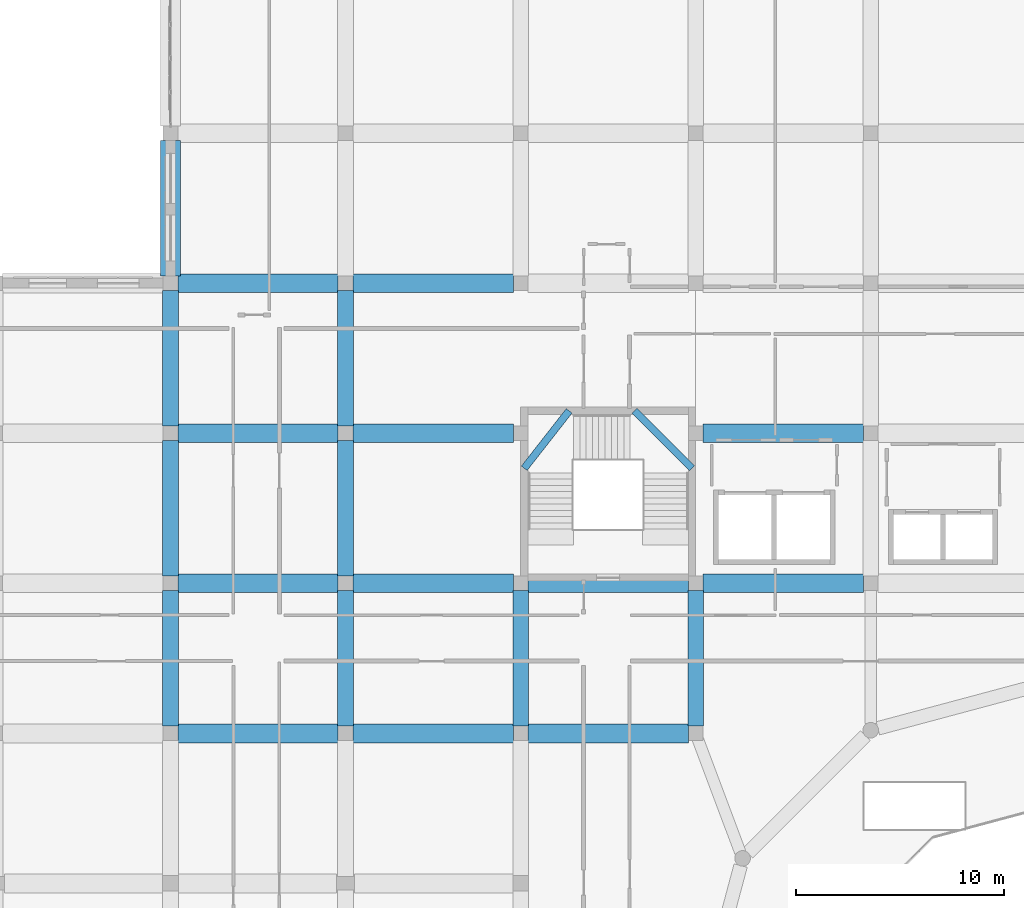
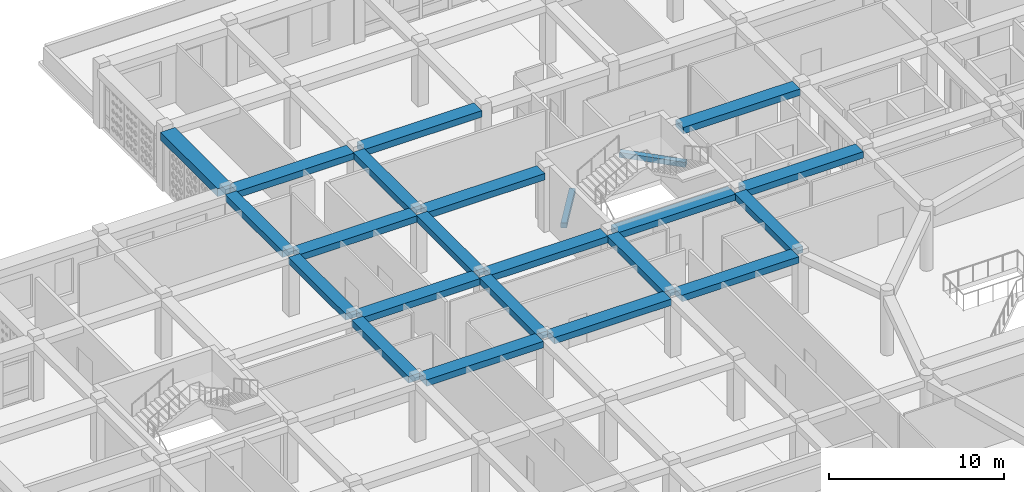
# One storey, part 28 of 100: 23 beams.
"""IFC4 building model written with IfcOpenShell, lengths in metres."""

from ifc_helpers import new_model, si_unit, derived_unit, direction, frame, origin, origin_2d, place, context, subcontext, project, spatial, rectangle, extrude, material, material_profile, profile_set, type_object, element, save


model = new_model("IFC4")

# Units and contexts
model_context = context("Model", 3, precision=1e-05, world=origin(), true_north=direction((0.0, 1.0)))
body_context = subcontext(model_context, "Body", "Model", "MODEL_VIEW")
ifc_project = project(units=[si_unit("LENGTHUNIT", "METRE"), si_unit("AREAUNIT", "SQUARE_METRE"), si_unit("VOLUMEUNIT", "CUBIC_METRE"), si_unit("PLANEANGLEUNIT", "RADIAN"), si_unit("MASSUNIT", "GRAM", prefix="KILO"), derived_unit("THERMALTRANSMITTANCEUNIT", [(si_unit("POWERUNIT", "WATT"), 1), (si_unit("LENGTHUNIT", "METRE"), -2), (si_unit("THERMODYNAMICTEMPERATUREUNIT", "KELVIN"), -1)])], contexts=[model_context])

# Site, building, storey
site_placement = place(None, origin())
site = spatial("IfcSite", under=ifc_project, at=site_placement, CompositionType="ELEMENT")
building_placement = place(site_placement, origin())
building = spatial("IfcBuilding", under=site, at=building_placement, Name="Veybourne Emporium", CompositionType="ELEMENT")
storey_placement = place(building_placement, frame((0.0, 0.0, 14.39990234375)))
storey = spatial("IfcBuildingStorey", under=building, at=storey_placement, Name="L03", CompositionType="ELEMENT", Elevation=14.39990234375)

# Beams
ifc_material = material(Name="Concrete C32/40", Category="concrete")
ifc_material_profile_1 = material_profile(ifc_material, rectangle(XDim=0.35009765625, YDim=0.35009765625, at=origin_2d()), Name="RC 350x350")
ifc_profile_set_1 = profile_set([ifc_material_profile_1], Name="Concrete C32/40")
beam_type_1 = type_object("IfcBeamType", Name="LandingBeam_LB-01", PredefinedType="BEAM", material=ifc_profile_set_1)
beam_1_placement = place(storey_placement, frame((50.574951171875, 77.52001953125, 1.125), z_axis=(0.616136975881, 0.787639020714, 0.0), x_axis=(-0.787639020714, 0.616136975881, 0.0)))
element("IfcBeam", 1, at=beam_1_placement, inside=storey, type_object=beam_type_1, Name="L03 ST-03 landing 1 support beam", PredefinedType="BEAM", context=body_context, shape_type="SweptSolid", body=[
    extrude(rectangle(XDim=0.35009765625, YDim=0.35009765625, at=origin_2d()), origin(), (0.0, 0.0, 1.0), 3.49755859375),
])
beam_2_placement = place(storey_placement, frame((55.8701171875, 80.27490234375, 2.625), z_axis=(0.707106781187, -0.707106781187, 0.0), x_axis=(0.707106781187, 0.707106781187, 0.0)))
element("IfcBeam", 2, at=beam_2_placement, inside=storey, type_object=beam_type_1, Name="L03 ST-03 landing 2 support beam", PredefinedType="BEAM", context=body_context, shape_type="SweptSolid", body=[
    extrude(rectangle(XDim=0.35009765625, YDim=0.35009765625, at=origin_2d()), origin(), (0.0, 0.0, 1.0), 3.89599609375),
])
ifc_material_profile_2 = material_profile(ifc_material, rectangle(XDim=0.89990234375, YDim=0.449951171875, at=origin_2d()), Name="RC 900x450")
ifc_profile_set_2 = profile_set([ifc_material_profile_2], Name="Concrete C32/40")
beam_type_2 = type_object("IfcBeamType", Name="RCBeam_BB-03", PredefinedType="BEAM", material=ifc_profile_set_2)
for number, where, z_axis, x_axis, name in (
    (3, (33.949951171875, 64.800048828125, 3.955078125), (1.0, 0.0, 0.0), (0.0, 1.0, 0.0), "L03 X-grid beam BB-03 (4,9)"),
    (4, (33.949951171875, 72.0, 3.955078125), (1.0, 0.0, 0.0), (0.0, 1.0, 0.0), "L03 X-grid beam BB-03 (4,10)"),
    (5, (33.949951171875, 79.199951171875, 3.955078125), (1.0, 0.0, 0.0), (0.0, 1.0, 0.0), "L03 X-grid beam BB-03 (4,11)"),
    (6, (33.949951171875, 86.39990234375, 3.955078125), (1.0, 0.0, 0.0), (0.0, 1.0, 0.0), "L03 X-grid beam BB-03 (4,12)"),
    (7, (42.35009765625, 64.800048828125, 3.955078125), (1.0, 0.0, 0.0), (0.0, 1.0, 0.0), "L03 X-grid beam BB-03 (5,9)"),
    (8, (42.35009765625, 72.0, 3.955078125), (1.0, 0.0, 0.0), (0.0, 1.0, 0.0), "L03 X-grid beam BB-03 (5,10)"),
    (9, (42.35009765625, 79.199951171875, 3.955078125), (1.0, 0.0, 0.0), (0.0, 1.0, 0.0), "L03 X-grid beam BB-03 (5,11)"),
    (10, (42.35009765625, 86.39990234375, 3.955078125), (1.0, 0.0, 0.0), (0.0, 1.0, 0.0), "L03 X-grid beam BB-03 (5,12)"),
    (11, (50.75, 64.800048828125, 3.955078125), (1.0, 0.0, 0.0), (0.0, 1.0, 0.0), "L03 X-grid beam BB-03 (6,9)"),
    (12, (50.75, 72.0, 3.955078125), (1.0, 0.0, 0.0), (0.0, 1.0, 0.0), "L03 X-grid beam BB-03 (6,10)"),
):
    element("IfcBeam", number, at=place(storey_placement, frame(where, z_axis=z_axis, x_axis=x_axis)), inside=storey, type_object=beam_type_2, Name=name, PredefinedType="BEAM", context=body_context, shape_type="SweptSolid", body=[
        extrude(rectangle(XDim=0.89990234375, YDim=0.449951171875, at=origin_2d()), origin(), (0.0, 0.0, 1.0), 7.699951171875),
    ])
for number, where, z_axis, x_axis, name in (
    (13, (59.14990234375, 72.0, 3.955078125), (1.0, 0.0, 0.0), (0.0, 1.0, 0.0), "L03 X-grid beam BB-03 (7,10)"),
    (14, (59.14990234375, 79.199951171875, 3.955078125), (1.0, 0.0, 0.0), (0.0, 1.0, 0.0), "L03 X-grid beam BB-03 (7,11)"),
):
    element("IfcBeam", number, at=place(storey_placement, frame(where, z_axis=z_axis, x_axis=x_axis)), inside=storey, type_object=beam_type_2, Name=name, PredefinedType="BEAM", context=body_context, shape_type="SweptSolid", body=[
        extrude(rectangle(XDim=0.89990234375, YDim=0.449951171875, at=origin_2d()), origin(), (0.0, 0.0, 1.0), 7.7001953125),
    ])
ifc_material_profile_3 = material_profile(ifc_material, rectangle(XDim=0.75, YDim=0.449951171875, at=origin_2d()), Name="RC 750x450")
ifc_profile_set_3 = profile_set([ifc_material_profile_3], Name="Concrete C32/40")
beam_type_3 = type_object("IfcBeamType", Name="RCBeam_BB-04", PredefinedType="BEAM", material=ifc_profile_set_3)
for number, where, z_axis, x_axis, name in (
    (15, (33.60009765625, 65.14990234375, 3.955078125), (0.0, 1.0, 0.0), (-1.0, 0.0, 0.0), "L03 Y-grid beam BB-04 (4,9)"),
    (16, (33.60009765625, 72.35009765625, 3.955078125), (0.0, 1.0, 0.0), (-1.0, 0.0, 0.0), "L03 Y-grid beam BB-04 (4,10)"),
    (17, (33.60009765625, 79.550048828125, 3.955078125), (0.0, 1.0, 0.0), (-1.0, 0.0, 0.0), "L03 Y-grid beam BB-04 (4,11)"),
    (18, (42.0, 65.14990234375, 3.955078125), (0.0, 1.0, 0.0), (-1.0, 0.0, 0.0), "L03 Y-grid beam BB-04 (5,9)"),
    (19, (42.0, 72.35009765625, 3.955078125), (0.0, 1.0, 0.0), (-1.0, 0.0, 0.0), "L03 Y-grid beam BB-04 (5,10)"),
    (20, (42.0, 79.550048828125, 3.955078125), (0.0, 1.0, 0.0), (-1.0, 0.0, 0.0), "L03 Y-grid beam BB-04 (5,11)"),
    (21, (50.39990234375, 65.14990234375, 3.955078125), (0.0, 1.0, 0.0), (-1.0, 0.0, 0.0), "L03 Y-grid beam BB-04 (6,9)"),
    (22, (58.800048828125, 65.14990234375, 3.955078125), (0.0, 1.0, 0.0), (-1.0, 0.0, 0.0), "L03 Y-grid beam BB-04 (7,9)"),
):
    element("IfcBeam", number, at=place(storey_placement, frame(where, z_axis=z_axis, x_axis=x_axis)), inside=storey, type_object=beam_type_3, Name=name, PredefinedType="BEAM", context=body_context, shape_type="SweptSolid", body=[
        extrude(rectangle(XDim=0.75, YDim=0.449951171875, at=origin_2d()), origin(), (0.0, 0.0, 1.0), 6.5),
    ])
ifc_material_profile_4 = material_profile(ifc_material, rectangle(XDim=0.949951171875, YDim=0.550048828125, at=origin_2d()), Name="RC 950x550")
ifc_profile_set_4 = profile_set([ifc_material_profile_4], Name="Concrete C32/40")
beam_type_4 = type_object("IfcBeamType", Name="RCBeam_EB-01", PredefinedType="SPANDREL", material=ifc_profile_set_4)
beam_3_placement = place(storey_placement, frame((33.60009765625, 86.75, 3.905029296875), z_axis=(0.0, 1.0, 0.0), x_axis=(-1.0, 0.0, 0.0)))
element("IfcBeam", 23, at=beam_3_placement, inside=storey, type_object=beam_type_4, Name="L03 Y-grid beam EB-01 (4,12)", PredefinedType="SPANDREL", context=body_context, shape_type="SweptSolid", body=[
    extrude(rectangle(XDim=0.949951171875, YDim=0.550048828125, at=origin_2d()), origin(), (0.0, 0.0, 1.0), 6.5),
])

save(model, "model.ifc")
